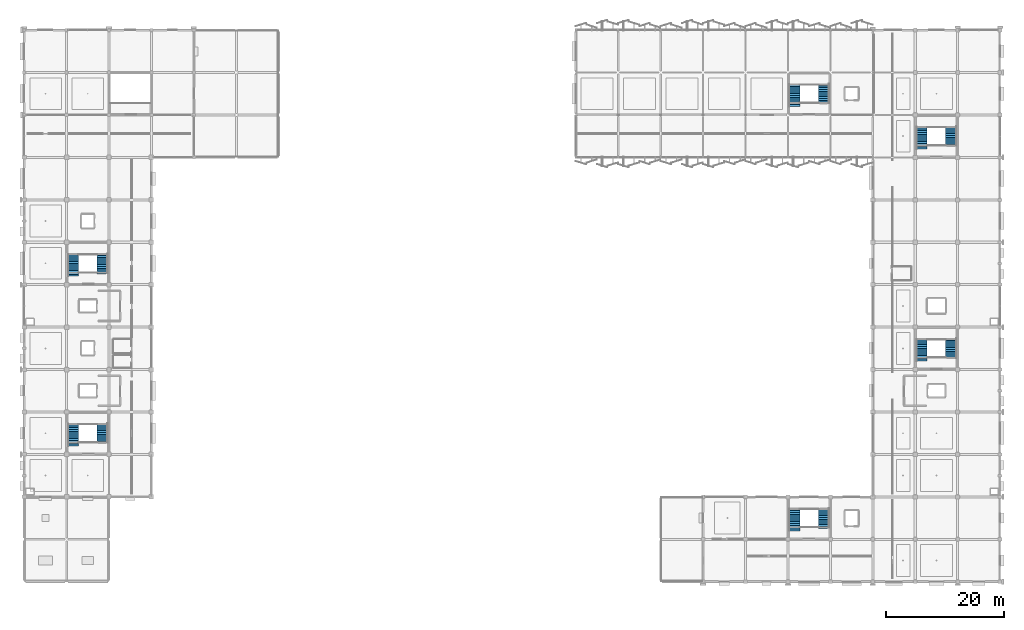
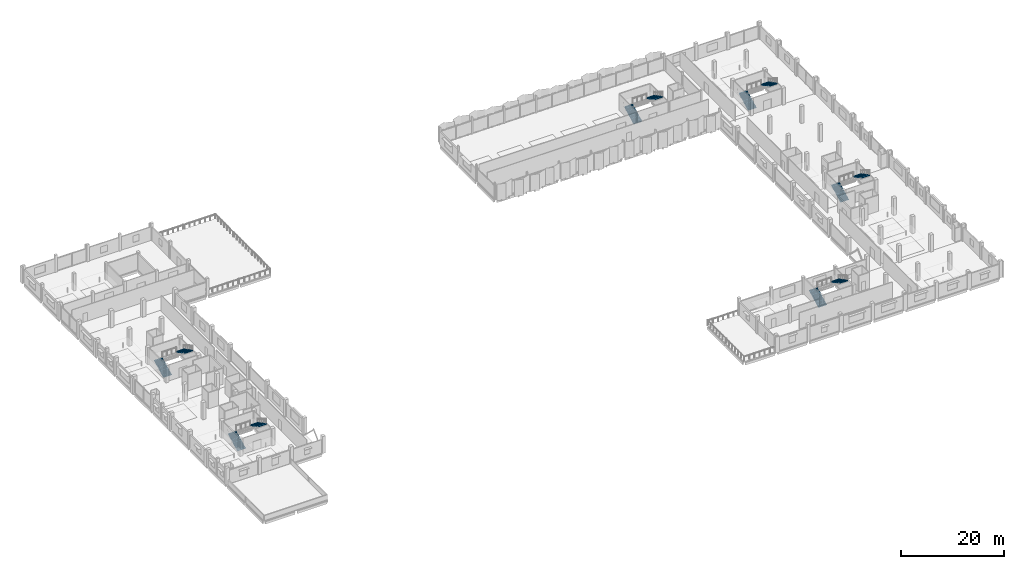
# One storey, part 74 of 91: 12 stair flights, 6 elements without a shape of their own.
"""IFC4 building model written with IfcOpenShell, lengths in metres."""

from ifc_helpers import new_model, si_unit, direction, frame, origin, place, context, subcontext, project, spatial, polyline, outline, extrude, material, type_object, element, aggregate, save


model = new_model("IFC4")

# Units and contexts
model_context = context("Model", 3, precision=1e-05, world=origin(), true_north=direction((0.0, 1.0)))
body_context = subcontext(model_context, "Body", "Model", "MODEL_VIEW")
ifc_project = project(units=[si_unit("LENGTHUNIT", "METRE"), si_unit("AREAUNIT", "SQUARE_METRE"), si_unit("VOLUMEUNIT", "CUBIC_METRE"), si_unit("PLANEANGLEUNIT", "RADIAN"), si_unit("MASSUNIT", "GRAM", prefix="KILO")], contexts=[model_context])

# Site, building, storey
site_placement = place(None, origin())
site = spatial("IfcSite", under=ifc_project, at=site_placement, CompositionType="ELEMENT")
building_placement = place(site_placement, origin())
building = spatial("IfcBuilding", under=site, at=building_placement, Name="Kangsadwip Square Police Headquarters", CompositionType="ELEMENT")
storey_placement = place(building_placement, frame((0.0, 0.0, 13.5)))
storey = spatial("IfcBuildingStorey", under=building, at=storey_placement, Name="L03", CompositionType="ELEMENT", Elevation=13.5)

# Stair, stair flight
ifc_material_1 = material(Name="Concrete M35 (35 MPa)", Category="concrete")
stair_type = type_object("IfcStairType", Name="Stair2FlightTypW1850", PredefinedType="HALF_TURN_STAIR", material=ifc_material_1)
stair_1_placement = place(storey_placement, origin())
stair_1 = element("IfcStair", 1, at=stair_1_placement, inside=storey, type_object=stair_type, Name="Protected Stair ST-01 L03", PredefinedType="HALF_TURN_STAIR")
ifc_material_2 = material(Name="Concrete M35 (35 MPa)", Category="concrete")
stair_flight_type_1 = type_object("IfcStairFlightType", Name="Flight12RTypW1850", PredefinedType="STRAIGHT", material=ifc_material_2)
stair_flight_1_placement = place(storey_placement, frame((13.294921875, 48.4599609375, 2.10595703125), z_axis=(0.0, 0.0, 1.0), x_axis=(0.0, -1.0, 0.0)))
stair_flight_1 = element("IfcStairFlight", 2, at=stair_flight_1_placement, type_object=stair_flight_type_1, Name="ST-01 flight 2", NumberOfRisers=12, NumberOfTreads=11, PredefinedType="STRAIGHT", RiserHeight=0.162, TreadLength=0.31, context=body_context, shape_type="SweptSolid", body=[
    extrude(outline(polyline([(0.0, 0.0), (0.0, 0.162109375), (0.31005859375, 0.162109375), (0.31005859375, 0.323974609375), (0.6201171875, 0.323974609375), (0.6201171875, 0.486083984375), (0.929931640625, 0.486083984375), (0.929931640625, 0.64794921875), (1.239990234375, 0.64794921875), (1.239990234375, 0.81005859375), (1.550048828125, 0.81005859375), (1.550048828125, 0.971923828125), (1.860107421875, 0.971923828125), (1.860107421875, 1.134033203125), (2.169921875, 1.134033203125), (2.169921875, 1.2958984375), (2.47998046875, 1.2958984375), (2.47998046875, 1.4580078125), (2.7900390625, 1.4580078125), (2.7900390625, 1.6201171875), (3.10009765625, 1.6201171875), (3.10009765625, 1.781982421875), (3.409912109375, 1.781982421875), (3.409912109375, 1.944091796875), (3.409912109375, 1.6015625), (0.34521484375, 0.0), (0.0, 0.0)])), frame((0.0, 0.925048828125, 0.0), z_axis=(0.0, -1.0, 0.0), x_axis=(1.0, 0.0, 0.0)), (0.0, 0.0, 1.0), 1.85009765625),
])

stair_2_placement = place(storey_placement, origin())
stair_2 = element("IfcStair", 3, at=stair_2_placement, inside=storey, type_object=stair_type, Name="Protected Stair ST-02 L03", PredefinedType="HALF_TURN_STAIR")
stair_flight_2_placement = place(storey_placement, frame((13.294921875, 77.260009765625, 2.10595703125), z_axis=(0.0, 0.0, 1.0), x_axis=(0.0, -1.0, 0.0)))
stair_flight_2 = element("IfcStairFlight", 4, at=stair_flight_2_placement, type_object=stair_flight_type_1, Name="ST-02 flight 2", NumberOfRisers=12, NumberOfTreads=11, PredefinedType="STRAIGHT", RiserHeight=0.162, TreadLength=0.31, context=body_context, shape_type="SweptSolid", body=[
    extrude(outline(polyline([(0.0, 0.0), (0.0, 0.162109375), (0.31005859375, 0.162109375), (0.31005859375, 0.323974609375), (0.6201171875, 0.323974609375), (0.6201171875, 0.486083984375), (0.929931640625, 0.486083984375), (0.929931640625, 0.64794921875), (1.239990234375, 0.64794921875), (1.239990234375, 0.81005859375), (1.550048828125, 0.81005859375), (1.550048828125, 0.971923828125), (1.860107421875, 0.971923828125), (1.860107421875, 1.134033203125), (2.169921875, 1.134033203125), (2.169921875, 1.2958984375), (2.47998046875, 1.2958984375), (2.47998046875, 1.4580078125), (2.7900390625, 1.4580078125), (2.7900390625, 1.6201171875), (3.10009765625, 1.6201171875), (3.10009765625, 1.781982421875), (3.409912109375, 1.781982421875), (3.409912109375, 1.944091796875), (3.409912109375, 1.6015625), (0.34521484375, 0.0), (0.0, 0.0)])), frame((0.0, 0.925048828125, 0.0), z_axis=(0.0, -1.0, 0.0), x_axis=(1.0, 0.0, 0.0)), (0.0, 0.0, 1.0), 1.85009765625),
])

stair_3_placement = place(storey_placement, origin())
stair_3 = element("IfcStair", 5, at=stair_3_placement, inside=storey, type_object=stair_type, Name="Protected Stair ST-03 L03", PredefinedType="HALF_TURN_STAIR")
stair_flight_3_placement = place(storey_placement, frame((157.294921875, 62.860107421875, 2.10595703125), z_axis=(0.0, 0.0, 1.0), x_axis=(0.0, -1.0, 0.0)))
stair_flight_3 = element("IfcStairFlight", 6, at=stair_flight_3_placement, type_object=stair_flight_type_1, Name="ST-03 flight 2", NumberOfRisers=12, NumberOfTreads=11, PredefinedType="STRAIGHT", RiserHeight=0.162, TreadLength=0.31, context=body_context, shape_type="SweptSolid", body=[
    extrude(outline(polyline([(0.0, 0.0), (0.0, 0.162109375), (0.31005859375, 0.162109375), (0.31005859375, 0.323974609375), (0.6201171875, 0.323974609375), (0.6201171875, 0.486083984375), (0.929931640625, 0.486083984375), (0.929931640625, 0.64794921875), (1.239990234375, 0.64794921875), (1.239990234375, 0.81005859375), (1.550048828125, 0.81005859375), (1.550048828125, 0.971923828125), (1.860107421875, 0.971923828125), (1.860107421875, 1.134033203125), (2.169921875, 1.134033203125), (2.169921875, 1.2958984375), (2.47998046875, 1.2958984375), (2.47998046875, 1.4580078125), (2.7900390625, 1.4580078125), (2.7900390625, 1.6201171875), (3.10009765625, 1.6201171875), (3.10009765625, 1.781982421875), (3.409912109375, 1.781982421875), (3.409912109375, 1.944091796875), (3.409912109375, 1.6015625), (0.34521484375, 0.0), (0.0, 0.0)])), frame((0.0, 0.925048828125, 0.0), z_axis=(0.0, -1.0, 0.0), x_axis=(1.0, 0.0, 0.0)), (0.0, 0.0, 1.0), 1.85009765625),
])

stair_4_placement = place(storey_placement, origin())
stair_4 = element("IfcStair", 7, at=stair_4_placement, inside=storey, type_object=stair_type, Name="Protected Stair ST-04 L03", PredefinedType="HALF_TURN_STAIR")
stair_flight_4_placement = place(storey_placement, frame((157.294921875, 98.860107421875, 2.10595703125), z_axis=(0.0, 0.0, 1.0), x_axis=(0.0, -1.0, 0.0)))
stair_flight_4 = element("IfcStairFlight", 8, at=stair_flight_4_placement, type_object=stair_flight_type_1, Name="ST-04 flight 2", NumberOfRisers=12, NumberOfTreads=11, PredefinedType="STRAIGHT", RiserHeight=0.162, TreadLength=0.31, context=body_context, shape_type="SweptSolid", body=[
    extrude(outline(polyline([(0.0, 0.0), (0.0, 0.162109375), (0.31005859375, 0.162109375), (0.31005859375, 0.323974609375), (0.6201171875, 0.323974609375), (0.6201171875, 0.486083984375), (0.929931640625, 0.486083984375), (0.929931640625, 0.64794921875), (1.239990234375, 0.64794921875), (1.239990234375, 0.81005859375), (1.550048828125, 0.81005859375), (1.550048828125, 0.971923828125), (1.860107421875, 0.971923828125), (1.860107421875, 1.134033203125), (2.169921875, 1.134033203125), (2.169921875, 1.2958984375), (2.47998046875, 1.2958984375), (2.47998046875, 1.4580078125), (2.7900390625, 1.4580078125), (2.7900390625, 1.6201171875), (3.10009765625, 1.6201171875), (3.10009765625, 1.781982421875), (3.409912109375, 1.781982421875), (3.409912109375, 1.944091796875), (3.409912109375, 1.6015625), (0.34521484375, 0.0), (0.0, 0.0)])), frame((0.0, 0.925048828125, 0.0), z_axis=(0.0, -1.0, 0.0), x_axis=(1.0, 0.0, 0.0)), (0.0, 0.0, 1.0), 1.85009765625),
])

stair_5_placement = place(storey_placement, origin())
stair_5 = element("IfcStair", 9, at=stair_5_placement, inside=storey, type_object=stair_type, Name="Protected Stair ST-05 L03", PredefinedType="HALF_TURN_STAIR")
stair_flight_5_placement = place(storey_placement, frame((135.695068359375, 106.06005859375, 2.10595703125), z_axis=(0.0, 0.0, 1.0), x_axis=(0.0, -1.0, 0.0)))
stair_flight_5 = element("IfcStairFlight", 10, at=stair_flight_5_placement, type_object=stair_flight_type_1, Name="ST-05 flight 2", NumberOfRisers=12, NumberOfTreads=11, PredefinedType="STRAIGHT", RiserHeight=0.162, TreadLength=0.31, context=body_context, shape_type="SweptSolid", body=[
    extrude(outline(polyline([(0.0, 0.0), (0.0, 0.162109375), (0.31005859375, 0.162109375), (0.31005859375, 0.323974609375), (0.6201171875, 0.323974609375), (0.6201171875, 0.486083984375), (0.929931640625, 0.486083984375), (0.929931640625, 0.64794921875), (1.239990234375, 0.64794921875), (1.239990234375, 0.81005859375), (1.550048828125, 0.81005859375), (1.550048828125, 0.971923828125), (1.860107421875, 0.971923828125), (1.860107421875, 1.134033203125), (2.169921875, 1.134033203125), (2.169921875, 1.2958984375), (2.47998046875, 1.2958984375), (2.47998046875, 1.4580078125), (2.7900390625, 1.4580078125), (2.7900390625, 1.6201171875), (3.10009765625, 1.6201171875), (3.10009765625, 1.781982421875), (3.409912109375, 1.781982421875), (3.409912109375, 1.944091796875), (3.409912109375, 1.6015625), (0.34521484375, 0.0), (0.0, 0.0)])), frame((0.0, 0.925048828125, 0.0), z_axis=(0.0, -1.0, 0.0), x_axis=(1.0, 0.0, 0.0)), (0.0, 0.0, 1.0), 1.85009765625),
])

stair_6_placement = place(storey_placement, origin())
stair_6 = element("IfcStair", 11, at=stair_6_placement, inside=storey, type_object=stair_type, Name="Protected Stair ST-06 L03", PredefinedType="HALF_TURN_STAIR")
stair_flight_6_placement = place(storey_placement, frame((135.695068359375, 34.06005859375, 2.10595703125), z_axis=(0.0, 0.0, 1.0), x_axis=(0.0, -1.0, 0.0)))
stair_flight_6 = element("IfcStairFlight", 12, at=stair_flight_6_placement, type_object=stair_flight_type_1, Name="ST-06 flight 2", NumberOfRisers=12, NumberOfTreads=11, PredefinedType="STRAIGHT", RiserHeight=0.162, TreadLength=0.31, context=body_context, shape_type="SweptSolid", body=[
    extrude(outline(polyline([(0.0, 0.0), (0.0, 0.162109375), (0.31005859375, 0.162109375), (0.31005859375, 0.323974609375), (0.6201171875, 0.323974609375), (0.6201171875, 0.486083984375), (0.929931640625, 0.486083984375), (0.929931640625, 0.64794921875), (1.239990234375, 0.64794921875), (1.239990234375, 0.81005859375), (1.550048828125, 0.81005859375), (1.550048828125, 0.971923828125), (1.860107421875, 0.971923828125), (1.860107421875, 1.134033203125), (2.169921875, 1.134033203125), (2.169921875, 1.2958984375), (2.47998046875, 1.2958984375), (2.47998046875, 1.4580078125), (2.7900390625, 1.4580078125), (2.7900390625, 1.6201171875), (3.10009765625, 1.6201171875), (3.10009765625, 1.781982421875), (3.409912109375, 1.781982421875), (3.409912109375, 1.944091796875), (3.409912109375, 1.6015625), (0.34521484375, 0.0), (0.0, 0.0)])), frame((0.0, 0.925048828125, 0.0), z_axis=(0.0, -1.0, 0.0), x_axis=(1.0, 0.0, 0.0)), (0.0, 0.0, 1.0), 1.85009765625),
])

# Stair flight
ifc_material_3 = material(Name="Concrete M35 (35 MPa)", Category="concrete")
stair_flight_type_2 = type_object("IfcStairFlightType", Name="Flight13RTypW1850", PredefinedType="STRAIGHT", material=ifc_material_3)
stair_flight_7_placement = place(storey_placement, frame((8.304931640625, 44.639892578125, 0.0), z_axis=(0.0, 0.0, 1.0), x_axis=(0.0, 1.0, 0.0)))
stair_flight_7 = element("IfcStairFlight", 13, at=stair_flight_7_placement, type_object=stair_flight_type_2, Name="ST-01 flight 1", NumberOfRisers=13, NumberOfTreads=12, PredefinedType="STRAIGHT", RiserHeight=0.162, TreadLength=0.31, context=body_context, shape_type="SweptSolid", body=[
    extrude(outline(polyline([(0.0, 0.0), (0.0, 0.162109375), (0.31005859375, 0.162109375), (0.31005859375, 0.323974609375), (0.6201171875, 0.323974609375), (0.6201171875, 0.486083984375), (0.929931640625, 0.486083984375), (0.929931640625, 0.64794921875), (1.239990234375, 0.64794921875), (1.239990234375, 0.81005859375), (1.550048828125, 0.81005859375), (1.550048828125, 0.971923828125), (1.860107421875, 0.971923828125), (1.860107421875, 1.134033203125), (2.169921875, 1.134033203125), (2.169921875, 1.2958984375), (2.47998046875, 1.2958984375), (2.47998046875, 1.4580078125), (2.7900390625, 1.4580078125), (2.7900390625, 1.6201171875), (3.10009765625, 1.6201171875), (3.10009765625, 1.781982421875), (3.409912109375, 1.781982421875), (3.409912109375, 1.944091796875), (3.719970703125, 1.944091796875), (3.719970703125, 2.10595703125), (3.719970703125, 1.763671875), (0.34521484375, 0.0), (0.0, 0.0)])), frame((0.0, 0.925048828125, 0.0), z_axis=(0.0, -1.0, 0.0), x_axis=(1.0, 0.0, 0.0)), (0.0, 0.0, 1.0), 1.85009765625),
])

aggregate(stair_1, [stair_flight_7, stair_flight_1])

stair_flight_8_placement = place(storey_placement, frame((8.304931640625, 73.43994140625, 0.0), z_axis=(0.0, 0.0, 1.0), x_axis=(0.0, 1.0, 0.0)))
stair_flight_8 = element("IfcStairFlight", 14, at=stair_flight_8_placement, type_object=stair_flight_type_2, Name="ST-02 flight 1", NumberOfRisers=13, NumberOfTreads=12, PredefinedType="STRAIGHT", RiserHeight=0.162, TreadLength=0.31, context=body_context, shape_type="SweptSolid", body=[
    extrude(outline(polyline([(0.0, 0.0), (0.0, 0.162109375), (0.31005859375, 0.162109375), (0.31005859375, 0.323974609375), (0.6201171875, 0.323974609375), (0.6201171875, 0.486083984375), (0.929931640625, 0.486083984375), (0.929931640625, 0.64794921875), (1.239990234375, 0.64794921875), (1.239990234375, 0.81005859375), (1.550048828125, 0.81005859375), (1.550048828125, 0.971923828125), (1.860107421875, 0.971923828125), (1.860107421875, 1.134033203125), (2.169921875, 1.134033203125), (2.169921875, 1.2958984375), (2.47998046875, 1.2958984375), (2.47998046875, 1.4580078125), (2.7900390625, 1.4580078125), (2.7900390625, 1.6201171875), (3.10009765625, 1.6201171875), (3.10009765625, 1.781982421875), (3.409912109375, 1.781982421875), (3.409912109375, 1.944091796875), (3.719970703125, 1.944091796875), (3.719970703125, 2.10595703125), (3.719970703125, 1.763671875), (0.34521484375, 0.0), (0.0, 0.0)])), frame((0.0, 0.925048828125, 0.0), z_axis=(0.0, -1.0, 0.0), x_axis=(1.0, 0.0, 0.0)), (0.0, 0.0, 1.0), 1.85009765625),
])

aggregate(stair_2, [stair_flight_8, stair_flight_2])

stair_flight_9_placement = place(storey_placement, frame((152.304931640625, 59.0400390625, 0.0), z_axis=(0.0, 0.0, 1.0), x_axis=(0.0, 1.0, 0.0)))
stair_flight_9 = element("IfcStairFlight", 15, at=stair_flight_9_placement, type_object=stair_flight_type_2, Name="ST-03 flight 1", NumberOfRisers=13, NumberOfTreads=12, PredefinedType="STRAIGHT", RiserHeight=0.162, TreadLength=0.31, context=body_context, shape_type="SweptSolid", body=[
    extrude(outline(polyline([(0.0, 0.0), (0.0, 0.162109375), (0.31005859375, 0.162109375), (0.31005859375, 0.323974609375), (0.6201171875, 0.323974609375), (0.6201171875, 0.486083984375), (0.929931640625, 0.486083984375), (0.929931640625, 0.64794921875), (1.239990234375, 0.64794921875), (1.239990234375, 0.81005859375), (1.550048828125, 0.81005859375), (1.550048828125, 0.971923828125), (1.860107421875, 0.971923828125), (1.860107421875, 1.134033203125), (2.169921875, 1.134033203125), (2.169921875, 1.2958984375), (2.47998046875, 1.2958984375), (2.47998046875, 1.4580078125), (2.7900390625, 1.4580078125), (2.7900390625, 1.6201171875), (3.10009765625, 1.6201171875), (3.10009765625, 1.781982421875), (3.409912109375, 1.781982421875), (3.409912109375, 1.944091796875), (3.719970703125, 1.944091796875), (3.719970703125, 2.10595703125), (3.719970703125, 1.763671875), (0.34521484375, 0.0), (0.0, 0.0)])), frame((0.0, 0.925048828125, 0.0), z_axis=(0.0, -1.0, 0.0), x_axis=(1.0, 0.0, 0.0)), (0.0, 0.0, 1.0), 1.85009765625),
])

aggregate(stair_3, [stair_flight_9, stair_flight_3])

stair_flight_10_placement = place(storey_placement, frame((152.304931640625, 95.0400390625, 0.0), z_axis=(0.0, 0.0, 1.0), x_axis=(0.0, 1.0, 0.0)))
stair_flight_10 = element("IfcStairFlight", 16, at=stair_flight_10_placement, type_object=stair_flight_type_2, Name="ST-04 flight 1", NumberOfRisers=13, NumberOfTreads=12, PredefinedType="STRAIGHT", RiserHeight=0.162, TreadLength=0.31, context=body_context, shape_type="SweptSolid", body=[
    extrude(outline(polyline([(0.0, 0.0), (0.0, 0.162109375), (0.31005859375, 0.162109375), (0.31005859375, 0.323974609375), (0.6201171875, 0.323974609375), (0.6201171875, 0.486083984375), (0.929931640625, 0.486083984375), (0.929931640625, 0.64794921875), (1.239990234375, 0.64794921875), (1.239990234375, 0.81005859375), (1.550048828125, 0.81005859375), (1.550048828125, 0.971923828125), (1.860107421875, 0.971923828125), (1.860107421875, 1.134033203125), (2.169921875, 1.134033203125), (2.169921875, 1.2958984375), (2.47998046875, 1.2958984375), (2.47998046875, 1.4580078125), (2.7900390625, 1.4580078125), (2.7900390625, 1.6201171875), (3.10009765625, 1.6201171875), (3.10009765625, 1.781982421875), (3.409912109375, 1.781982421875), (3.409912109375, 1.944091796875), (3.719970703125, 1.944091796875), (3.719970703125, 2.10595703125), (3.719970703125, 1.763671875), (0.34521484375, 0.0), (0.0, 0.0)])), frame((0.0, 0.925048828125, 0.0), z_axis=(0.0, -1.0, 0.0), x_axis=(1.0, 0.0, 0.0)), (0.0, 0.0, 1.0), 1.85009765625),
])

aggregate(stair_4, [stair_flight_10, stair_flight_4])

stair_flight_11_placement = place(storey_placement, frame((130.705078125, 102.239990234375, 0.0), z_axis=(0.0, 0.0, 1.0), x_axis=(0.0, 1.0, 0.0)))
stair_flight_11 = element("IfcStairFlight", 17, at=stair_flight_11_placement, type_object=stair_flight_type_2, Name="ST-05 flight 1", NumberOfRisers=13, NumberOfTreads=12, PredefinedType="STRAIGHT", RiserHeight=0.162, TreadLength=0.31, context=body_context, shape_type="SweptSolid", body=[
    extrude(outline(polyline([(0.0, 0.0), (0.0, 0.162109375), (0.31005859375, 0.162109375), (0.31005859375, 0.323974609375), (0.6201171875, 0.323974609375), (0.6201171875, 0.486083984375), (0.929931640625, 0.486083984375), (0.929931640625, 0.64794921875), (1.239990234375, 0.64794921875), (1.239990234375, 0.81005859375), (1.550048828125, 0.81005859375), (1.550048828125, 0.971923828125), (1.860107421875, 0.971923828125), (1.860107421875, 1.134033203125), (2.169921875, 1.134033203125), (2.169921875, 1.2958984375), (2.47998046875, 1.2958984375), (2.47998046875, 1.4580078125), (2.7900390625, 1.4580078125), (2.7900390625, 1.6201171875), (3.10009765625, 1.6201171875), (3.10009765625, 1.781982421875), (3.409912109375, 1.781982421875), (3.409912109375, 1.944091796875), (3.719970703125, 1.944091796875), (3.719970703125, 2.10595703125), (3.719970703125, 1.763671875), (0.34521484375, 0.0), (0.0, 0.0)])), frame((0.0, 0.925048828125, 0.0), z_axis=(0.0, -1.0, 0.0), x_axis=(1.0, 0.0, 0.0)), (0.0, 0.0, 1.0), 1.85009765625),
])

aggregate(stair_5, [stair_flight_11, stair_flight_5])

stair_flight_12_placement = place(storey_placement, frame((130.705078125, 30.239990234375, 0.0), z_axis=(0.0, 0.0, 1.0), x_axis=(0.0, 1.0, 0.0)))
stair_flight_12 = element("IfcStairFlight", 18, at=stair_flight_12_placement, type_object=stair_flight_type_2, Name="ST-06 flight 1", NumberOfRisers=13, NumberOfTreads=12, PredefinedType="STRAIGHT", RiserHeight=0.162, TreadLength=0.31, context=body_context, shape_type="SweptSolid", body=[
    extrude(outline(polyline([(0.0, 0.0), (0.0, 0.162109375), (0.31005859375, 0.162109375), (0.31005859375, 0.323974609375), (0.6201171875, 0.323974609375), (0.6201171875, 0.486083984375), (0.929931640625, 0.486083984375), (0.929931640625, 0.64794921875), (1.239990234375, 0.64794921875), (1.239990234375, 0.81005859375), (1.550048828125, 0.81005859375), (1.550048828125, 0.971923828125), (1.860107421875, 0.971923828125), (1.860107421875, 1.134033203125), (2.169921875, 1.134033203125), (2.169921875, 1.2958984375), (2.47998046875, 1.2958984375), (2.47998046875, 1.4580078125), (2.7900390625, 1.4580078125), (2.7900390625, 1.6201171875), (3.10009765625, 1.6201171875), (3.10009765625, 1.781982421875), (3.409912109375, 1.781982421875), (3.409912109375, 1.944091796875), (3.719970703125, 1.944091796875), (3.719970703125, 2.10595703125), (3.719970703125, 1.763671875), (0.34521484375, 0.0), (0.0, 0.0)])), frame((0.0, 0.925048828125, 0.0), z_axis=(0.0, -1.0, 0.0), x_axis=(1.0, 0.0, 0.0)), (0.0, 0.0, 1.0), 1.85009765625),
])

aggregate(stair_6, [stair_flight_12, stair_flight_6])

save(model, "model.ifc")
